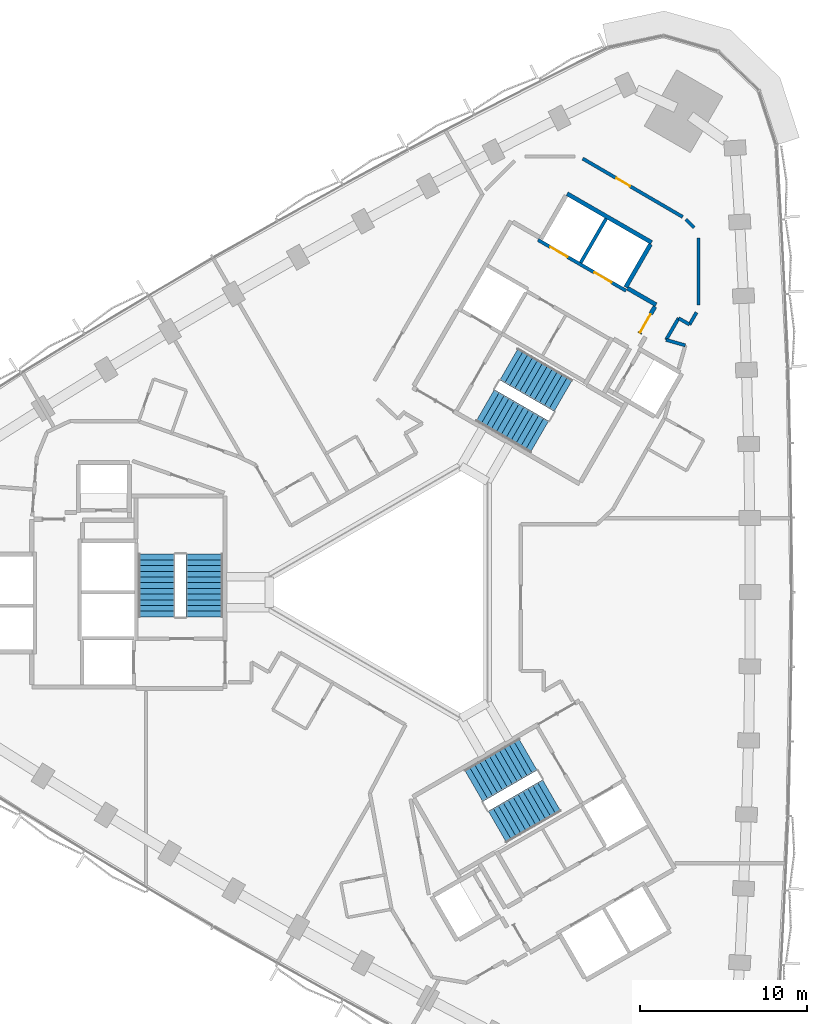
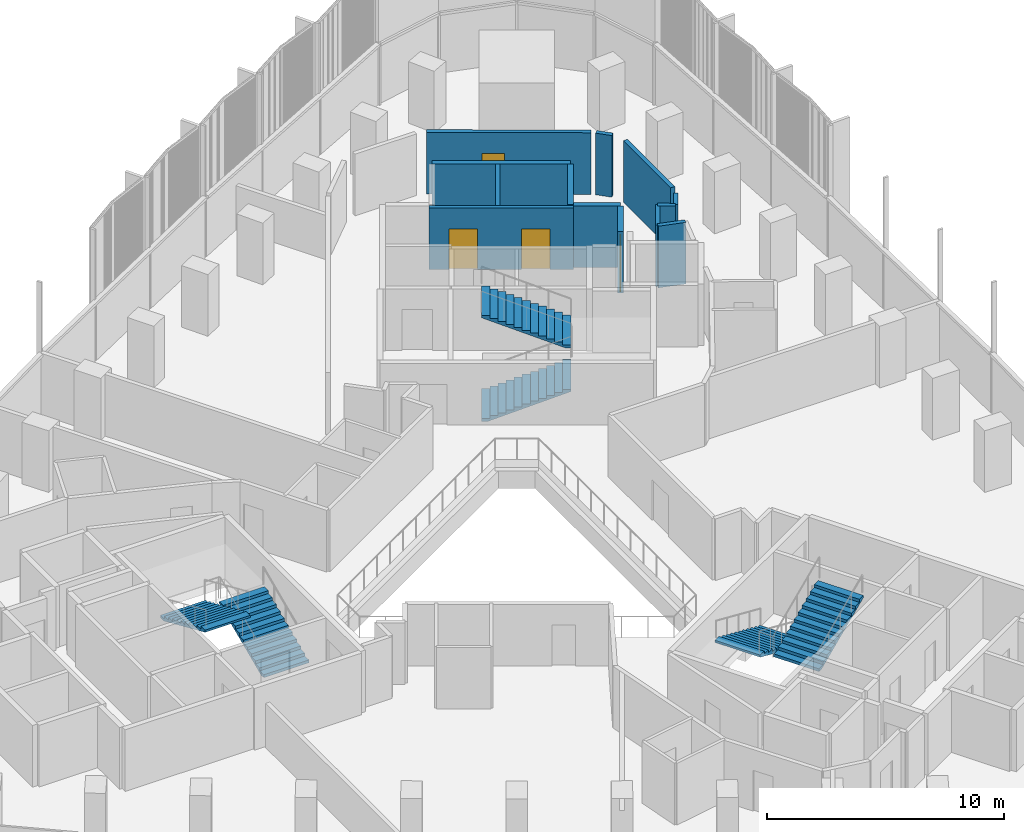
# One storey, part 11 of 15: 13 walls, 6 stair flights, 4 doors, 4 openings, 3 elements without a shape of their own.
"""IFC4 building model written with IfcOpenShell, lengths in metres."""

from ifc_helpers import new_model, si_unit, direction, frame, frame_2d, origin, place, context, subcontext, project, spatial, polyline, rectangle, outline, extrude, material, layer, layer_set, type_object, element, fill, aggregate, save


model = new_model("IFC4")

# Units and contexts
model_context = context("Model", 3, precision=1e-05, world=origin(), true_north=direction((0.0, 1.0)))
body_context = subcontext(model_context, "Body", "Model", "MODEL_VIEW")
ifc_project = project(units=[si_unit("LENGTHUNIT", "METRE"), si_unit("AREAUNIT", "SQUARE_METRE"), si_unit("VOLUMEUNIT", "CUBIC_METRE"), si_unit("PLANEANGLEUNIT", "RADIAN"), si_unit("MASSUNIT", "GRAM", prefix="KILO")], contexts=[model_context])

# Site, building, storey
site_placement = place(None, origin())
site = spatial("IfcSite", under=ifc_project, at=site_placement, CompositionType="ELEMENT")
building_placement = place(site_placement, origin())
building = spatial("IfcBuilding", under=site, at=building_placement, Name="Tamra Quay Hotel Tower", CompositionType="ELEMENT")
storey_placement = place(building_placement, frame((0.0, 0.0, 101.0)))
storey = spatial("IfcBuildingStorey", under=building, at=storey_placement, Name="L24", CompositionType="ELEMENT", Elevation=101.0)

# Wall, openings, doors
ifc_material_1 = material(Name="Concrete M70", Category="concrete")
ifc_layer_1 = layer(ifc_material_1, 0.199951171875)
ifc_layer_set_1 = layer_set([ifc_layer_1], Name="Concrete M70 core wall 200")
wall_type_1 = type_object("IfcWallType", Name="Concrete M70 core wall 200", PredefinedType="SHEAR", material=ifc_layer_set_1)
wall_1_placement = place(storey_placement, frame((13.209716796875, 18.07958984375, 0.0), z_axis=(0.0, 0.0, 1.0), x_axis=(-0.866030299012, 0.499991521122, 0.0)))
wall_1 = element("IfcWall", 1, at=wall_1_placement, inside=storey, type_object=wall_type_1, Name="CW2", PredefinedType="SHEAR", context=body_context, shape_type="SweptSolid", body=[
    extrude(rectangle(XDim=6.10009765625, YDim=0.199951171875, at=frame_2d((3.050048828125, 0.0))), origin(), (0.0, 0.0, 1.0), 3.175048828125),
])
opening_1_placement = place(wall_1_placement, frame((1.0, 0.0, 0.0)))
opening_1 = element("IfcOpeningElement", 2, at=opening_1_placement, cuts=wall_1, Name="Opening LD", PredefinedType="OPENING", context=body_context, shape_type="SweptSolid", body=[
    extrude(rectangle(XDim=1.199951171875, YDim=2.10009765625, at=frame_2d((0.60009765625, 1.050048828125))), frame((0.0, 0.10986328125, 0.0), z_axis=(0.0, -1.0, 0.0), x_axis=(1.0, 0.0, 0.0)), (0.0, 0.0, 1.0), 0.219970703125),
])
opening_2_placement = place(wall_1_placement, frame((4.05029296875, 0.0, 0.0)))
opening_2 = element("IfcOpeningElement", 3, at=opening_2_placement, cuts=wall_1, Name="Opening LD", PredefinedType="OPENING", context=body_context, shape_type="SweptSolid", body=[
    extrude(rectangle(XDim=1.199951171875, YDim=2.10009765625, at=frame_2d((0.60009765625, 1.050048828125))), frame((0.0, 0.10986328125, 0.0), z_axis=(0.0, -1.0, 0.0), x_axis=(1.0, 0.0, 0.0)), (0.0, 0.0, 1.0), 0.219970703125),
])
ifc_material_2 = material(Name="Landing door LD 1200 double door sliding")
door_type_1 = type_object("IfcDoorType", Name="Landing door LD 1200 double door sliding", OperationType="DOUBLE_DOOR_SLIDING", PredefinedType="DOOR", material=ifc_material_2)
door_1_placement = place(opening_1_placement, origin())
door_1 = element("IfcDoor", 4, at=door_1_placement, inside=storey, type_object=door_type_1, Name="LD", OperationType="DOUBLE_DOOR_SLIDING", OverallHeight=2.10009765625, OverallWidth=1.199951171875, PredefinedType="DOOR", context=body_context, shape_type="SweptSolid", body=[
    extrude(rectangle(XDim=1.199951171875, YDim=2.10009765625, at=frame_2d((0.60009765625, 1.050048828125))), frame((0.0, 0.02490234375, 0.0), z_axis=(0.0, -1.0, 0.0), x_axis=(1.0, 0.0, 0.0)), (0.0, 0.0, 1.0), 0.050048828125),
])
fill(opening_1, door_1)
door_2_placement = place(opening_2_placement, origin())
door_2 = element("IfcDoor", 5, at=door_2_placement, inside=storey, type_object=door_type_1, Name="LD", OperationType="DOUBLE_DOOR_SLIDING", OverallHeight=2.10009765625, OverallWidth=1.199951171875, PredefinedType="DOOR", context=body_context, shape_type="SweptSolid", body=[
    extrude(rectangle(XDim=1.199951171875, YDim=2.10009765625, at=frame_2d((0.60009765625, 1.050048828125))), frame((0.0, 0.02490234375, 0.0), z_axis=(0.0, -1.0, 0.0), x_axis=(1.0, 0.0, 0.0)), (0.0, 0.0, 1.0), 0.050048828125),
])
fill(opening_2, door_2)

# Walls
wall_2_placement = place(storey_placement, frame((10.48876953125, 19.76708984375, 0.0), z_axis=(0.0, 0.0, 1.0), x_axis=(0.499946628782, 0.866056215479, 0.0)))
element("IfcWall", 6, at=wall_2_placement, inside=storey, type_object=wall_type_1, Name="CW2", PredefinedType="SHEAR", context=body_context, shape_type="SweptSolid", body=[
    extrude(rectangle(XDim=3.048095703125, YDim=0.199951171875, at=frame_2d((1.52392578125, 0.0))), origin(), (0.0, 0.0, 1.0), 3.175048828125),
])
ifc_layer_2 = layer(ifc_material_1, 0.25)
ifc_layer_set_2 = layer_set([ifc_layer_2], Name="Concrete M70 core wall 250")
wall_type_2 = type_object("IfcWallType", Name="Concrete M70 core wall 250", PredefinedType="SHEAR", material=ifc_layer_set_2)
wall_3_placement = place(storey_placement, frame((9.672607421875, 23.9033203125, 0.0), z_axis=(0.0, 0.0, 1.0), x_axis=(0.86603616409, -0.499981362141, 0.0)))
element("IfcWall", 7, at=wall_3_placement, inside=storey, type_object=wall_type_2, Name="CW1", PredefinedType="SHEAR", context=body_context, shape_type="SweptSolid", body=[
    extrude(rectangle(XDim=5.849853515625, YDim=0.25, at=frame_2d((2.9248046875, 0.0))), origin(), (0.0, 0.0, 1.0), 3.175048828125),
])
wall_4_placement = place(storey_placement, frame((14.67626953125, 20.869873046875, 0.0), z_axis=(0.0, 0.0, 1.0), x_axis=(-0.499987686533, -0.866032512851, 0.0)))
element("IfcWall", 8, at=wall_4_placement, inside=storey, type_object=wall_type_2, Name="CW1", PredefinedType="SHEAR", context=body_context, shape_type="SweptSolid", body=[
    extrude(rectangle(XDim=2.974609375, YDim=0.25, at=frame_2d((1.4873046875, 0.0))), origin(), (0.0, 0.0, 1.0), 3.175048828125),
])
wall_5_placement = place(storey_placement, frame((13.29736328125, 18.23095703125, 0.0), z_axis=(0.0, 0.0, 1.0), x_axis=(0.866043531843, -0.499968599967, 0.0)))
element("IfcWall", 9, at=wall_5_placement, inside=storey, type_object=wall_type_2, Name="CW1", PredefinedType="SHEAR", context=body_context, shape_type="SweptSolid", body=[
    extrude(rectangle(XDim=1.974853515625, YDim=0.25, at=frame_2d((0.9873046875, 0.0))), origin(), (0.0, 0.0, 1.0), 3.175048828125),
])

# Wall, opening, door
wall_6_placement = place(storey_placement, frame((14.94482421875, 17.13525390625, 0.0), z_axis=(0.0, 0.0, 1.0), x_axis=(-0.499983108224, -0.866035156036, 0.0)))
wall_6 = element("IfcWall", 10, at=wall_6_placement, inside=storey, type_object=wall_type_2, Name="CW1", PredefinedType="SHEAR", context=body_context, shape_type="SweptSolid", body=[
    extrude(rectangle(XDim=1.86474609375, YDim=0.25, at=frame_2d((0.932373046875, 0.0))), origin(), (0.0, 0.0, 1.0), 3.175048828125),
])
opening_3_placement = place(wall_6_placement, frame((0.53466796875, 0.0, 0.0)))
opening_3 = element("IfcOpeningElement", 11, at=opening_3_placement, cuts=wall_6, Name="Opening FD3", PredefinedType="OPENING", context=body_context, shape_type="SweptSolid", body=[
    extrude(rectangle(XDim=1.25, YDim=2.10009765625, at=frame_2d((0.625, 1.050048828125))), frame((0.0, 0.135009765625, 0.0), z_axis=(0.0, -1.0, 0.0), x_axis=(1.0, 0.0, 0.0)), (0.0, 0.0, 1.0), 0.27001953125),
])
ifc_material_3 = material(Name="Core door FD3 1250x2100 LH")
door_type_2 = type_object("IfcDoorType", Name="Core door FD3 1250x2100 LH", OperationType="NOTDEFINED", PredefinedType="DOOR", material=ifc_material_3)
door_3_placement = place(opening_3_placement, origin())
door_3 = element("IfcDoor", 12, at=door_3_placement, inside=storey, type_object=door_type_2, Name="FD3", OperationType="SINGLE_SWING_LEFT", OverallHeight=2.10009765625, OverallWidth=1.25, PredefinedType="DOOR", context=body_context, shape_type="SweptSolid", body=[
    extrude(rectangle(XDim=1.25, YDim=2.10009765625, at=frame_2d((0.625, 1.050048828125))), frame((0.0, 0.02490234375, 0.0), z_axis=(0.0, -1.0, 0.0), x_axis=(1.0, 0.0, 0.0)), (0.0, 0.0, 1.0), 0.050048828125),
])
fill(opening_3, door_3)

ifc_material_4 = material(Name="Partition corridor wall")
ifc_layer_3 = layer(ifc_material_4, 0.199951171875)
ifc_layer_set_3 = layer_set([ifc_layer_3], Name="Partition corridor wall")
wall_type_3 = type_object("IfcWallType", Name="Partition corridor wall", PredefinedType="PARTITIONING", material=ifc_layer_set_3)
wall_7_placement = place(storey_placement, frame((10.60693359375, 26.010009765625, 0.0), z_axis=(0.0, 0.0, 1.0), x_axis=(0.863778900898, -0.503871025524, 0.0)))
wall_7 = element("IfcWall", 13, at=wall_7_placement, inside=storey, type_object=wall_type_3, Name="W-C", PredefinedType="PARTITIONING", context=body_context, shape_type="SweptSolid", body=[
    extrude(rectangle(XDim=6.9462890625, YDim=0.199951171875, at=frame_2d((3.47314453125, 0.0))), origin(), (0.0, 0.0, 1.0), 3.175048828125),
])
opening_4_placement = place(wall_7_placement, frame((2.35009765625, 0.0, 0.0)))
opening_4 = element("IfcOpeningElement", 14, at=opening_4_placement, cuts=wall_7, Name="Opening L24-D002", PredefinedType="OPENING", context=body_context, shape_type="SweptSolid", body=[
    extrude(rectangle(XDim=0.949951171875, YDim=2.10009765625, at=frame_2d((0.47509765625, 1.050048828125))), frame((0.0, 0.10986328125, 0.0), z_axis=(0.0, -1.0, 0.0), x_axis=(1.0, 0.0, 0.0)), (0.0, 0.0, 1.0), 0.219970703125),
])
ifc_material_5 = material(Name="Door guest room 950x2100")
door_type_3 = type_object("IfcDoorType", Name="Door guest room 950x2100", OperationType="NOTDEFINED", PredefinedType="DOOR", material=ifc_material_5)
door_4_placement = place(opening_4_placement, frame((0.949951171875, 0.0, 0.0), z_axis=(0.0, 0.0, 1.0), x_axis=(-1.0, 0.0, 0.0)))
door_4 = element("IfcDoor", 15, at=door_4_placement, inside=storey, type_object=door_type_3, Name="L24-D002", OperationType="SINGLE_SWING_LEFT", OverallHeight=2.10009765625, OverallWidth=0.949951171875, PredefinedType="DOOR", context=body_context, shape_type="SweptSolid", body=[
    extrude(rectangle(XDim=0.949951171875, YDim=2.10009765625, at=frame_2d((0.47509765625, 1.050048828125))), frame((0.0, 0.02490234375, 0.0), z_axis=(0.0, -1.0, 0.0), x_axis=(1.0, 0.0, 0.0)), (0.0, 0.0, 1.0), 0.050048828125),
])
fill(opening_4, door_4)

# Walls
wall_8_placement = place(storey_placement, frame((15.60888671875, 15.135986328125, 0.0), z_axis=(0.0, 0.0, 1.0), x_axis=(0.499501622561, 0.866312950993, 0.0)))
element("IfcWall", 16, at=wall_8_placement, inside=storey, type_object=wall_type_3, Name="W-C", PredefinedType="PARTITIONING", context=body_context, shape_type="SweptSolid", body=[
    extrude(rectangle(XDim=1.49951171875, YDim=0.199951171875, at=frame_2d((0.749755859375, 0.0))), origin(), (0.0, 0.0, 1.0), 3.175048828125),
])
wall_9_placement = place(storey_placement, frame((15.60888671875, 15.135986328125, 0.0), z_axis=(0.0, 0.0, 1.0), x_axis=(0.961662011825, -0.274237442763, 0.0)))
element("IfcWall", 17, at=wall_9_placement, inside=storey, type_object=wall_type_3, Name="W-C", PredefinedType="PARTITIONING", context=body_context, shape_type="SweptSolid", body=[
    extrude(rectangle(XDim=1.199951171875, YDim=0.199951171875, at=frame_2d((0.60009765625, 0.0))), origin(), (0.0, 0.0, 1.0), 3.175048828125),
])
wall_10_placement = place(storey_placement, frame((16.35791015625, 16.43505859375, 0.0), z_axis=(0.0, 0.0, 1.0), x_axis=(0.865470452227, -0.50095997477, 0.0)))
element("IfcWall", 18, at=wall_10_placement, inside=storey, type_object=wall_type_3, Name="W-C", PredefinedType="PARTITIONING", context=body_context, shape_type="SweptSolid", body=[
    extrude(rectangle(XDim=0.7568359375, YDim=0.199951171875, at=frame_2d((0.37841796875, 0.0))), origin(), (0.0, 0.0, 1.0), 3.175048828125),
])
wall_11_placement = place(storey_placement, frame((16.7890625, 22.368896484375, 0.0), z_axis=(0.0, 0.0, 1.0), x_axis=(0.707796304616, -0.706416584724, 0.0)))
element("IfcWall", 19, at=wall_11_placement, inside=storey, type_object=wall_type_3, Name="W-C", PredefinedType="PARTITIONING", context=body_context, shape_type="SweptSolid", body=[
    extrude(rectangle(XDim=0.707763671875, YDim=0.199951171875, at=frame_2d((0.35400390625, 0.0))), origin(), (0.0, 0.0, 1.0), 3.175048828125),
])
wall_12_placement = place(storey_placement, frame((17.012939453125, 16.055908203125, 0.0), z_axis=(0.0, 0.0, 1.0), x_axis=(0.500864178051, 0.865525895133, 0.0)))
element("IfcWall", 20, at=wall_12_placement, inside=storey, type_object=wall_type_3, Name="W-C", PredefinedType="PARTITIONING", context=body_context, shape_type="SweptSolid", body=[
    extrude(rectangle(XDim=0.8388671875, YDim=0.199951171875, at=frame_2d((0.41943359375, 0.0))), origin(), (0.0, 0.0, 1.0), 3.175048828125),
])
wall_13_placement = place(storey_placement, frame((17.553955078125, 17.23193359375, 0.0), z_axis=(0.0, 0.0, 1.0), x_axis=(0.0, 1.0, 0.0)))
element("IfcWall", 21, at=wall_13_placement, inside=storey, type_object=wall_type_3, Name="W-C", PredefinedType="PARTITIONING", context=body_context, shape_type="SweptSolid", body=[
    extrude(rectangle(XDim=4.0, YDim=0.199951171875, at=frame_2d((2.0, 0.0))), origin(), (0.0, 0.0, 1.0), 3.175048828125),
])

# Stair, stair flights
ifc_material_6 = material(Name="Exit stair 2200 24 risers 150.0 going 342")
stair_type = type_object("IfcStairType", Name="Exit stair 2200 24 risers 150.0 going 342", PredefinedType="HALF_TURN_STAIR", material=ifc_material_6)
stair_1_placement = place(storey_placement, origin())
stair_1 = element("IfcStair", 22, at=stair_1_placement, inside=storey, type_object=stair_type, Name="L24 Exit stair ST3", PredefinedType="HALF_TURN_STAIR")
ifc_material_7 = material(Name="Exit stair flight 2200 12 risers 150.0")
stair_flight_type = type_object("IfcStairFlightType", Name="Exit stair flight 2200 12 risers 150.0", PredefinedType="STRAIGHT", material=ifc_material_7)
stair_flight_1_placement = place(storey_placement, frame((-12.082275390625, -1.47998046875, 0.0), z_axis=(0.0, 0.0, 1.0), x_axis=(0.0, 1.0, 0.0)))
stair_flight_1 = element("IfcStairFlight", 23, at=stair_flight_1_placement, type_object=stair_flight_type, Name="ST3 flight 1", NumberOfRisers=12, NumberOfTreads=11, PredefinedType="STRAIGHT", RiserHeight=0.15, TreadLength=0.342, context=body_context, shape_type="SweptSolid", body=[
    extrude(outline(polyline([(0.0, 0.0), (0.0, 0.14990234375), (0.342041015625, 0.14990234375), (0.342041015625, 0.300048828125), (0.68408203125, 0.300048828125), (0.68408203125, 0.449951171875), (1.02587890625, 0.449951171875), (1.02587890625, 0.60009765625), (1.367919921875, 0.60009765625), (1.367919921875, 0.75), (1.7099609375, 0.75), (1.7099609375, 0.89990234375), (2.052001953125, 0.89990234375), (2.052001953125, 1.050048828125), (2.39404296875, 1.050048828125), (2.39404296875, 1.199951171875), (2.736083984375, 1.199951171875), (2.736083984375, 1.35009765625), (3.077880859375, 1.35009765625), (3.077880859375, 1.5), (3.419921875, 1.5), (3.419921875, 1.64990234375), (3.761962890625, 1.64990234375), (3.761962890625, 1.800048828125), (3.761962890625, 1.540771484375), (0.249267578125, 0.0), (0.0, 0.0)])), frame((0.0, 1.10009765625, 0.0), z_axis=(0.0, -1.0, 0.0), x_axis=(1.0, 0.0, 0.0)), (0.0, 0.0, 1.0), 2.199951171875),
])
stair_flight_2_placement = place(storey_placement, frame((-14.94140625, 2.281982421875, 1.800048828125), z_axis=(0.0, 0.0, 1.0), x_axis=(0.0, -1.0, 0.0)))
stair_flight_2 = element("IfcStairFlight", 24, at=stair_flight_2_placement, type_object=stair_flight_type, Name="ST3 flight 2", NumberOfRisers=12, NumberOfTreads=11, PredefinedType="STRAIGHT", RiserHeight=0.15, TreadLength=0.342, context=body_context, shape_type="SweptSolid", body=[
    extrude(outline(polyline([(0.0, 0.0), (0.0, 0.14990234375), (0.342041015625, 0.14990234375), (0.342041015625, 0.300048828125), (0.68408203125, 0.300048828125), (0.68408203125, 0.449951171875), (1.02587890625, 0.449951171875), (1.02587890625, 0.60009765625), (1.367919921875, 0.60009765625), (1.367919921875, 0.75), (1.7099609375, 0.75), (1.7099609375, 0.89990234375), (2.052001953125, 0.89990234375), (2.052001953125, 1.050048828125), (2.39404296875, 1.050048828125), (2.39404296875, 1.199951171875), (2.736083984375, 1.199951171875), (2.736083984375, 1.35009765625), (3.077880859375, 1.35009765625), (3.077880859375, 1.5), (3.419921875, 1.5), (3.419921875, 1.64990234375), (3.761962890625, 1.64990234375), (3.761962890625, 1.800048828125), (3.761962890625, 1.540771484375), (0.249267578125, 0.0), (0.0, 0.0)])), frame((0.0, 1.10009765625, 0.0), z_axis=(0.0, -1.0, 0.0), x_axis=(1.0, 0.0, 0.0)), (0.0, 0.0, 1.0), 2.199951171875),
])
aggregate(stair_1, [stair_flight_1, stair_flight_2])

stair_2_placement = place(storey_placement, origin())
stair_2 = element("IfcStair", 25, at=stair_2_placement, inside=storey, type_object=stair_type, Name="L24 Exit stair ST1", PredefinedType="HALF_TURN_STAIR")
stair_flight_3_placement = place(storey_placement, frame((4.75927734375, 11.20361328125, 0.0), z_axis=(0.0, 0.0, 1.0), x_axis=(0.866025403784, -0.5, 0.0)))
stair_flight_3 = element("IfcStairFlight", 26, at=stair_flight_3_placement, type_object=stair_flight_type, Name="ST1 flight 1", NumberOfRisers=12, NumberOfTreads=11, PredefinedType="STRAIGHT", RiserHeight=0.15, TreadLength=0.342, context=body_context, shape_type="SweptSolid", body=[
    extrude(outline(polyline([(0.0, 0.0), (0.0, 0.14990234375), (0.342041015625, 0.14990234375), (0.342041015625, 0.300048828125), (0.68408203125, 0.300048828125), (0.68408203125, 0.449951171875), (1.02587890625, 0.449951171875), (1.02587890625, 0.60009765625), (1.367919921875, 0.60009765625), (1.367919921875, 0.75), (1.7099609375, 0.75), (1.7099609375, 0.89990234375), (2.052001953125, 0.89990234375), (2.052001953125, 1.050048828125), (2.39404296875, 1.050048828125), (2.39404296875, 1.199951171875), (2.736083984375, 1.199951171875), (2.736083984375, 1.35009765625), (3.077880859375, 1.35009765625), (3.077880859375, 1.5), (3.419921875, 1.5), (3.419921875, 1.64990234375), (3.761962890625, 1.64990234375), (3.761962890625, 1.800048828125), (3.761962890625, 1.540771484375), (0.249267578125, 0.0), (0.0, 0.0)])), frame((0.0, 1.10009765625, 0.0), z_axis=(0.0, -1.0, 0.0), x_axis=(1.0, 0.0, 0.0)), (0.0, 0.0, 1.0), 2.199951171875),
])
stair_flight_4_placement = place(storey_placement, frame((9.44677734375, 11.798583984375, 1.800048828125), z_axis=(0.0, 0.0, 1.0), x_axis=(-0.866025403784, 0.5, 0.0)))
stair_flight_4 = element("IfcStairFlight", 27, at=stair_flight_4_placement, type_object=stair_flight_type, Name="ST1 flight 2", NumberOfRisers=12, NumberOfTreads=11, PredefinedType="STRAIGHT", RiserHeight=0.15, TreadLength=0.342, context=body_context, shape_type="SweptSolid", body=[
    extrude(outline(polyline([(0.0, 0.0), (0.0, 0.14990234375), (0.342041015625, 0.14990234375), (0.342041015625, 0.300048828125), (0.68408203125, 0.300048828125), (0.68408203125, 0.449951171875), (1.02587890625, 0.449951171875), (1.02587890625, 0.60009765625), (1.367919921875, 0.60009765625), (1.367919921875, 0.75), (1.7099609375, 0.75), (1.7099609375, 0.89990234375), (2.052001953125, 0.89990234375), (2.052001953125, 1.050048828125), (2.39404296875, 1.050048828125), (2.39404296875, 1.199951171875), (2.736083984375, 1.199951171875), (2.736083984375, 1.35009765625), (3.077880859375, 1.35009765625), (3.077880859375, 1.5), (3.419921875, 1.5), (3.419921875, 1.64990234375), (3.761962890625, 1.64990234375), (3.761962890625, 1.800048828125), (3.761962890625, 1.540771484375), (0.249267578125, 0.0), (0.0, 0.0)])), frame((0.0, 1.10009765625, 0.0), z_axis=(0.0, -1.0, 0.0), x_axis=(1.0, 0.0, 0.0)), (0.0, 0.0, 1.0), 2.199951171875),
])
aggregate(stair_2, [stair_flight_3, stair_flight_4])

stair_3_placement = place(storey_placement, origin())
stair_3 = element("IfcStair", 28, at=stair_3_placement, inside=storey, type_object=stair_type, Name="L24 Exit stair ST2", PredefinedType="HALF_TURN_STAIR")
stair_flight_5_placement = place(storey_placement, frame((7.322998046875, -9.7236328125, 0.0), z_axis=(0.0, 0.0, 1.0), x_axis=(-0.866025403784, -0.5, 0.0)))
stair_flight_5 = element("IfcStairFlight", 29, at=stair_flight_5_placement, type_object=stair_flight_type, Name="ST2 flight 1", NumberOfRisers=12, NumberOfTreads=11, PredefinedType="STRAIGHT", RiserHeight=0.15, TreadLength=0.342, context=body_context, shape_type="SweptSolid", body=[
    extrude(outline(polyline([(0.0, 0.0), (0.0, 0.14990234375), (0.342041015625, 0.14990234375), (0.342041015625, 0.300048828125), (0.68408203125, 0.300048828125), (0.68408203125, 0.449951171875), (1.02587890625, 0.449951171875), (1.02587890625, 0.60009765625), (1.367919921875, 0.60009765625), (1.367919921875, 0.75), (1.7099609375, 0.75), (1.7099609375, 0.89990234375), (2.052001953125, 0.89990234375), (2.052001953125, 1.050048828125), (2.39404296875, 1.050048828125), (2.39404296875, 1.199951171875), (2.736083984375, 1.199951171875), (2.736083984375, 1.35009765625), (3.077880859375, 1.35009765625), (3.077880859375, 1.5), (3.419921875, 1.5), (3.419921875, 1.64990234375), (3.761962890625, 1.64990234375), (3.761962890625, 1.800048828125), (3.761962890625, 1.540771484375), (0.249267578125, 0.0), (0.0, 0.0)])), frame((0.0, 1.10009765625, 0.0), z_axis=(0.0, -1.0, 0.0), x_axis=(1.0, 0.0, 0.0)), (0.0, 0.0, 1.0), 2.199951171875),
])
stair_flight_6_placement = place(storey_placement, frame((5.494384765625, -14.08056640625, 1.800048828125), z_axis=(0.0, 0.0, 1.0), x_axis=(0.866025403784, 0.5, 0.0)))
stair_flight_6 = element("IfcStairFlight", 30, at=stair_flight_6_placement, type_object=stair_flight_type, Name="ST2 flight 2", NumberOfRisers=12, NumberOfTreads=11, PredefinedType="STRAIGHT", RiserHeight=0.15, TreadLength=0.342, context=body_context, shape_type="SweptSolid", body=[
    extrude(outline(polyline([(0.0, 0.0), (0.0, 0.14990234375), (0.342041015625, 0.14990234375), (0.342041015625, 0.300048828125), (0.68408203125, 0.300048828125), (0.68408203125, 0.449951171875), (1.02587890625, 0.449951171875), (1.02587890625, 0.60009765625), (1.367919921875, 0.60009765625), (1.367919921875, 0.75), (1.7099609375, 0.75), (1.7099609375, 0.89990234375), (2.052001953125, 0.89990234375), (2.052001953125, 1.050048828125), (2.39404296875, 1.050048828125), (2.39404296875, 1.199951171875), (2.736083984375, 1.199951171875), (2.736083984375, 1.35009765625), (3.077880859375, 1.35009765625), (3.077880859375, 1.5), (3.419921875, 1.5), (3.419921875, 1.64990234375), (3.761962890625, 1.64990234375), (3.761962890625, 1.800048828125), (3.761962890625, 1.540771484375), (0.249267578125, 0.0), (0.0, 0.0)])), frame((0.0, 1.10009765625, 0.0), z_axis=(0.0, -1.0, 0.0), x_axis=(1.0, 0.0, 0.0)), (0.0, 0.0, 1.0), 2.199951171875),
])
aggregate(stair_3, [stair_flight_5, stair_flight_6])

save(model, "model.ifc")
